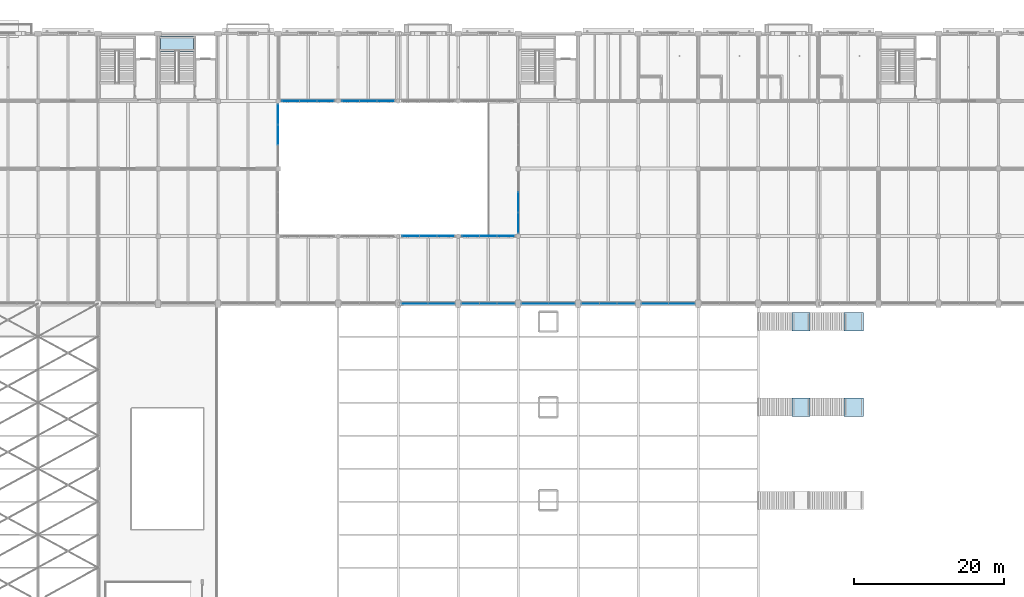
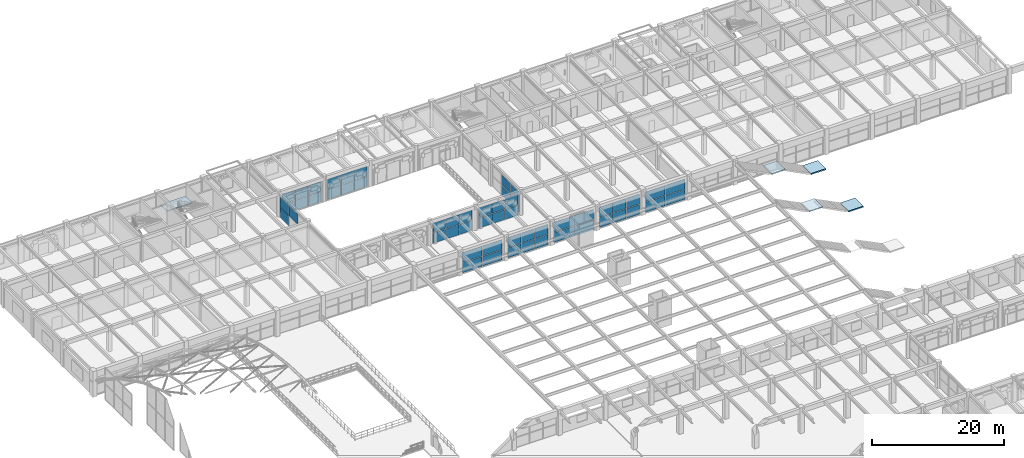
# One storey, part 95 of 144: 55 plates, 5 slabs, 14 elements without a shape of their own.
"""IFC4 building model written with IfcOpenShell, lengths in metres."""

from ifc_helpers import new_model, si_unit, direction, frame, origin, origin_2d, place, context, subcontext, project, spatial, polyline, rectangle, outline, extrude, material, layer, layer_set, type_object, element, aggregate, save


model = new_model("IFC4")

# Units and contexts
model_context = context("Model", 3, precision=1e-05, world=origin(), true_north=direction((0.0, 1.0)))
body_context = subcontext(model_context, "Body", "Model", "MODEL_VIEW")
ifc_project = project(units=[si_unit("LENGTHUNIT", "METRE"), si_unit("AREAUNIT", "SQUARE_METRE"), si_unit("VOLUMEUNIT", "CUBIC_METRE"), si_unit("PLANEANGLEUNIT", "RADIAN"), si_unit("MASSUNIT", "GRAM", prefix="KILO")], contexts=[model_context])

# Site, building, storey
site_placement = place(None, origin())
site = spatial("IfcSite", under=ifc_project, at=site_placement, CompositionType="ELEMENT")
building_placement = place(site_placement, origin())
building = spatial("IfcBuilding", under=site, at=building_placement, Name="Varnabhumi Central Station", CompositionType="ELEMENT")
storey_placement = place(building_placement, frame((0.0, 0.0, 4.800048828125)))
storey = spatial("IfcBuildingStorey", under=building, at=storey_placement, Name="L01", CompositionType="ELEMENT", Elevation=4.800048828125)

# Curtain wall, plates
ifc_material_1 = material(Name="Anodised aluminium 6063-T6", Category="aluminium")
curtain_wall_type_1 = type_object("IfcCurtainWallType", Name="CW-PATIO-LOGGIA-L1", PredefinedType="NOTDEFINED", material=ifc_material_1)
curtain_wall_1_placement = place(storey_placement, origin())
curtain_wall_1 = element("IfcCurtainWall", 1, at=curtain_wall_1_placement, inside=storey, type_object=curtain_wall_type_1, Name="Curtain Wall CW-NP1W1", PredefinedType="NOTDEFINED")
ifc_material_2 = material(Name="Laminated low-E double glazing", Category="glass")
ifc_layer_1 = layer(ifc_material_2, 0.035888671875, Name="Laminated low-E double glazing", Category="glass")
ifc_layer_set_1 = layer_set([ifc_layer_1], Name="Laminated low-E double glazing")
plate_type_1 = type_object("IfcPlateType", Name="CW-PNL-GLZ-2", PredefinedType="CURTAIN_PANEL", material=ifc_layer_set_1)
plate_1_placement = place(storey_placement, frame((80.0, 90.780029296875, 0.0400390625), z_axis=(0.0, 0.0, 1.0), x_axis=(0.0, 1.0, 0.0)))
plate_1 = element("IfcPlate", 2, at=plate_1_placement, type_object=plate_type_1, Name="Glazed Panel CW-NP1W1-P11", PredefinedType="CURTAIN_PANEL", context=body_context, shape_type="SweptSolid", body=[
    extrude(rectangle(XDim=2.639892578125, YDim=0.035888671875, at=origin_2d()), origin(), (0.0, 0.0, 1.0), 1.840087890625),
])
plate_2_placement = place(storey_placement, frame((80.0, 90.780029296875, 1.9599609375), z_axis=(0.0, 0.0, 1.0), x_axis=(0.0, 1.0, 0.0)))
plate_2 = element("IfcPlate", 3, at=plate_2_placement, type_object=plate_type_1, Name="Glazed Panel CW-NP1W1-P12", PredefinedType="CURTAIN_PANEL", context=body_context, shape_type="SweptSolid", body=[
    extrude(rectangle(XDim=2.639892578125, YDim=0.035888671875, at=origin_2d()), origin(), (0.0, 0.0, 1.0), 1.840087890625),
])
plate_3_placement = place(storey_placement, frame((80.0, 93.5, 0.0400390625), z_axis=(0.0, 0.0, 1.0), x_axis=(0.0, 1.0, 0.0)))
plate_3 = element("IfcPlate", 4, at=plate_3_placement, type_object=plate_type_1, Name="Glazed Panel CW-NP1W1-P21", PredefinedType="CURTAIN_PANEL", context=body_context, shape_type="SweptSolid", body=[
    extrude(rectangle(XDim=2.639892578125, YDim=0.035888671875, at=origin_2d()), origin(), (0.0, 0.0, 1.0), 1.840087890625),
])
plate_4_placement = place(storey_placement, frame((80.0, 93.5, 1.9599609375), z_axis=(0.0, 0.0, 1.0), x_axis=(0.0, 1.0, 0.0)))
plate_4 = element("IfcPlate", 5, at=plate_4_placement, type_object=plate_type_1, Name="Glazed Panel CW-NP1W1-P22", PredefinedType="CURTAIN_PANEL", context=body_context, shape_type="SweptSolid", body=[
    extrude(rectangle(XDim=2.639892578125, YDim=0.035888671875, at=origin_2d()), origin(), (0.0, 0.0, 1.0), 1.840087890625),
])
aggregate(curtain_wall_1, [plate_1, plate_2, plate_3, plate_4])

curtain_wall_2_placement = place(storey_placement, origin())
curtain_wall_2 = element("IfcCurtainWall", 6, at=curtain_wall_2_placement, inside=storey, type_object=curtain_wall_type_1, Name="Curtain Wall CW-NP1E2", PredefinedType="NOTDEFINED")
plate_5_placement = place(storey_placement, frame((48.0, 102.5, 1.9599609375), z_axis=(0.0, 0.0, 1.0), x_axis=(0.0, 1.0, 0.0)))
plate_5 = element("IfcPlate", 7, at=plate_5_placement, type_object=plate_type_1, Name="Glazed Panel CW-NP1E2-P22", PredefinedType="CURTAIN_PANEL", context=body_context, shape_type="SweptSolid", body=[
    extrude(rectangle(XDim=2.639892578125, YDim=0.035888671875, at=origin_2d()), origin(), (0.0, 0.0, 1.0), 1.840087890625),
])
plate_6_placement = place(storey_placement, frame((48.0, 105.219970703125, 0.0400390625), z_axis=(0.0, 0.0, 1.0), x_axis=(0.0, 1.0, 0.0)))
plate_6 = element("IfcPlate", 8, at=plate_6_placement, type_object=plate_type_1, Name="Glazed Panel CW-NP1E2-P31", PredefinedType="CURTAIN_PANEL", context=body_context, shape_type="SweptSolid", body=[
    extrude(rectangle(XDim=2.639892578125, YDim=0.035888671875, at=origin_2d()), origin(), (0.0, 0.0, 1.0), 1.840087890625),
])
plate_7_placement = place(storey_placement, frame((48.0, 105.219970703125, 1.9599609375), z_axis=(0.0, 0.0, 1.0), x_axis=(0.0, 1.0, 0.0)))
plate_7 = element("IfcPlate", 9, at=plate_7_placement, type_object=plate_type_1, Name="Glazed Panel CW-NP1E2-P32", PredefinedType="CURTAIN_PANEL", context=body_context, shape_type="SweptSolid", body=[
    extrude(rectangle(XDim=2.639892578125, YDim=0.035888671875, at=origin_2d()), origin(), (0.0, 0.0, 1.0), 1.840087890625),
])
aggregate(curtain_wall_2, [plate_5, plate_6, plate_7])

curtain_wall_3_placement = place(storey_placement, origin())
curtain_wall_3 = element("IfcCurtainWall", 10, at=curtain_wall_3_placement, inside=storey, type_object=curtain_wall_type_1, Name="Curtain Wall CW-NP1N1", PredefinedType="NOTDEFINED")
plate_8_placement = place(storey_placement, frame((49.679931640625, 107.0, 0.0400390625), z_axis=(0.0, 0.0, 1.0), x_axis=(1.0, 0.0, 0.0)))
plate_8 = element("IfcPlate", 11, at=plate_8_placement, type_object=plate_type_1, Name="Glazed Panel CW-NP1N1-P11", PredefinedType="CURTAIN_PANEL", context=body_context, shape_type="SweptSolid", body=[
    extrude(rectangle(XDim=2.239990234375, YDim=0.035888671875, at=origin_2d()), origin(), (0.0, 0.0, 1.0), 1.840087890625),
])
plate_9_placement = place(storey_placement, frame((49.679931640625, 107.0, 1.9599609375), z_axis=(0.0, 0.0, 1.0), x_axis=(1.0, 0.0, 0.0)))
plate_9 = element("IfcPlate", 12, at=plate_9_placement, type_object=plate_type_1, Name="Glazed Panel CW-NP1N1-P12", PredefinedType="CURTAIN_PANEL", context=body_context, shape_type="SweptSolid", body=[
    extrude(rectangle(XDim=2.239990234375, YDim=0.035888671875, at=origin_2d()), origin(), (0.0, 0.0, 1.0), 1.840087890625),
])
plate_10_placement = place(storey_placement, frame((52.0, 107.0, 0.0400390625), z_axis=(0.0, 0.0, 1.0), x_axis=(1.0, 0.0, 0.0)))
plate_10 = element("IfcPlate", 13, at=plate_10_placement, type_object=plate_type_1, Name="Glazed Panel CW-NP1N1-P21", PredefinedType="CURTAIN_PANEL", context=body_context, shape_type="SweptSolid", body=[
    extrude(rectangle(XDim=2.239990234375, YDim=0.035888671875, at=origin_2d()), origin(), (0.0, 0.0, 1.0), 1.840087890625),
])
plate_11_placement = place(storey_placement, frame((52.0, 107.0, 1.9599609375), z_axis=(0.0, 0.0, 1.0), x_axis=(1.0, 0.0, 0.0)))
plate_11 = element("IfcPlate", 14, at=plate_11_placement, type_object=plate_type_1, Name="Glazed Panel CW-NP1N1-P22", PredefinedType="CURTAIN_PANEL", context=body_context, shape_type="SweptSolid", body=[
    extrude(rectangle(XDim=2.239990234375, YDim=0.035888671875, at=origin_2d()), origin(), (0.0, 0.0, 1.0), 1.840087890625),
])
plate_12_placement = place(storey_placement, frame((54.320068359375, 107.0, 0.0400390625), z_axis=(0.0, 0.0, 1.0), x_axis=(1.0, 0.0, 0.0)))
plate_12 = element("IfcPlate", 15, at=plate_12_placement, type_object=plate_type_1, Name="Glazed Panel CW-NP1N1-P31", PredefinedType="CURTAIN_PANEL", context=body_context, shape_type="SweptSolid", body=[
    extrude(rectangle(XDim=2.239990234375, YDim=0.035888671875, at=origin_2d()), origin(), (0.0, 0.0, 1.0), 1.840087890625),
])
plate_13_placement = place(storey_placement, frame((54.320068359375, 107.0, 1.9599609375), z_axis=(0.0, 0.0, 1.0), x_axis=(1.0, 0.0, 0.0)))
plate_13 = element("IfcPlate", 16, at=plate_13_placement, type_object=plate_type_1, Name="Glazed Panel CW-NP1N1-P32", PredefinedType="CURTAIN_PANEL", context=body_context, shape_type="SweptSolid", body=[
    extrude(rectangle(XDim=2.239990234375, YDim=0.035888671875, at=origin_2d()), origin(), (0.0, 0.0, 1.0), 1.840087890625),
])
aggregate(curtain_wall_3, [plate_8, plate_9, plate_10, plate_11, plate_12, plate_13])

curtain_wall_4_placement = place(storey_placement, origin())
curtain_wall_4 = element("IfcCurtainWall", 17, at=curtain_wall_4_placement, inside=storey, type_object=curtain_wall_type_1, Name="Curtain Wall CW-NP1N2", PredefinedType="NOTDEFINED")
ifc_layer_2 = layer(ifc_material_2, 0.035888671875, Name="Laminated low-E double glazing", Category="glass")
ifc_layer_set_2 = layer_set([ifc_layer_2], Name="Laminated low-E double glazing")
plate_type_2 = type_object("IfcPlateType", Name="CW-PNL-GLZ-3", PredefinedType="CURTAIN_PANEL", material=ifc_layer_set_2)
plate_14_placement = place(storey_placement, frame((57.679931640625, 107.0, 0.0400390625), z_axis=(0.0, 0.0, 1.0), x_axis=(1.0, 0.0, 0.0)))
plate_14 = element("IfcPlate", 18, at=plate_14_placement, type_object=plate_type_2, Name="Glazed Panel CW-NP1N2-P11", PredefinedType="CURTAIN_PANEL", context=body_context, shape_type="SweptSolid", body=[
    extrude(rectangle(XDim=2.239990234375, YDim=0.035888671875, at=origin_2d()), origin(), (0.0, 0.0, 1.0), 1.840087890625),
])
plate_15_placement = place(storey_placement, frame((57.679931640625, 107.0, 1.9599609375), z_axis=(0.0, 0.0, 1.0), x_axis=(1.0, 0.0, 0.0)))
plate_15 = element("IfcPlate", 19, at=plate_15_placement, type_object=plate_type_2, Name="Glazed Panel CW-NP1N2-P12", PredefinedType="CURTAIN_PANEL", context=body_context, shape_type="SweptSolid", body=[
    extrude(rectangle(XDim=2.239990234375, YDim=0.035888671875, at=origin_2d()), origin(), (0.0, 0.0, 1.0), 1.840087890625),
])
plate_16_placement = place(storey_placement, frame((60.0, 107.0, 0.0400390625), z_axis=(0.0, 0.0, 1.0), x_axis=(1.0, 0.0, 0.0)))
plate_16 = element("IfcPlate", 20, at=plate_16_placement, type_object=plate_type_2, Name="Glazed Panel CW-NP1N2-P21", PredefinedType="CURTAIN_PANEL", context=body_context, shape_type="SweptSolid", body=[
    extrude(rectangle(XDim=2.239990234375, YDim=0.035888671875, at=origin_2d()), origin(), (0.0, 0.0, 1.0), 1.840087890625),
])
plate_17_placement = place(storey_placement, frame((60.0, 107.0, 1.9599609375), z_axis=(0.0, 0.0, 1.0), x_axis=(1.0, 0.0, 0.0)))
plate_17 = element("IfcPlate", 21, at=plate_17_placement, type_object=plate_type_2, Name="Glazed Panel CW-NP1N2-P22", PredefinedType="CURTAIN_PANEL", context=body_context, shape_type="SweptSolid", body=[
    extrude(rectangle(XDim=2.239990234375, YDim=0.035888671875, at=origin_2d()), origin(), (0.0, 0.0, 1.0), 1.840087890625),
])
plate_18_placement = place(storey_placement, frame((62.320068359375, 107.0, 0.0400390625), z_axis=(0.0, 0.0, 1.0), x_axis=(1.0, 0.0, 0.0)))
plate_18 = element("IfcPlate", 22, at=plate_18_placement, type_object=plate_type_2, Name="Glazed Panel CW-NP1N2-P31", PredefinedType="CURTAIN_PANEL", context=body_context, shape_type="SweptSolid", body=[
    extrude(rectangle(XDim=2.239990234375, YDim=0.035888671875, at=origin_2d()), origin(), (0.0, 0.0, 1.0), 1.840087890625),
])
plate_19_placement = place(storey_placement, frame((62.320068359375, 107.0, 1.9599609375), z_axis=(0.0, 0.0, 1.0), x_axis=(1.0, 0.0, 0.0)))
plate_19 = element("IfcPlate", 23, at=plate_19_placement, type_object=plate_type_2, Name="Glazed Panel CW-NP1N2-P32", PredefinedType="CURTAIN_PANEL", context=body_context, shape_type="SweptSolid", body=[
    extrude(rectangle(XDim=2.239990234375, YDim=0.035888671875, at=origin_2d()), origin(), (0.0, 0.0, 1.0), 1.840087890625),
])
aggregate(curtain_wall_4, [plate_14, plate_15, plate_16, plate_17, plate_18, plate_19])

curtain_wall_type_2 = type_object("IfcCurtainWallType", Name="CW-STREET-PORTAL", PredefinedType="NOTDEFINED", material=ifc_material_1)
curtain_wall_5_placement = place(storey_placement, origin())
curtain_wall_5 = element("IfcCurtainWall", 24, at=curtain_wall_5_placement, inside=storey, type_object=curtain_wall_type_2, Name="Curtain Wall CW-NSP109", PredefinedType="NOTDEFINED")
ifc_layer_3 = layer(ifc_material_2, 0.035888671875, Name="Laminated low-E double glazing", Category="glass")
ifc_layer_set_3 = layer_set([ifc_layer_3], Name="Laminated low-E double glazing")
plate_type_3 = type_object("IfcPlateType", Name="CW-PNL-GLZ-4", PredefinedType="CURTAIN_PANEL", material=ifc_layer_set_3)
plate_20_placement = place(storey_placement, frame((73.63330078125, 80.0, 0.0400390625), z_axis=(0.0, 0.0, 1.0), x_axis=(1.0, 0.0, 0.0)))
plate_20 = element("IfcPlate", 25, at=plate_20_placement, type_object=plate_type_3, Name="Glazed Panel CW-NSP109-P11", PredefinedType="CURTAIN_PANEL", context=body_context, shape_type="SweptSolid", body=[
    extrude(rectangle(XDim=2.28662109375, YDim=0.035888671875, at=origin_2d()), origin(), (0.0, 0.0, 1.0), 1.840087890625),
])
plate_21_placement = place(storey_placement, frame((73.63330078125, 80.0, 1.9599609375), z_axis=(0.0, 0.0, 1.0), x_axis=(1.0, 0.0, 0.0)))
plate_21 = element("IfcPlate", 26, at=plate_21_placement, type_object=plate_type_3, Name="Glazed Panel CW-NSP109-P12", PredefinedType="CURTAIN_PANEL", context=body_context, shape_type="SweptSolid", body=[
    extrude(rectangle(XDim=2.28662109375, YDim=0.035888671875, at=origin_2d()), origin(), (0.0, 0.0, 1.0), 1.840087890625),
])
plate_22_placement = place(storey_placement, frame((76.0, 80.0, 0.0400390625), z_axis=(0.0, 0.0, 1.0), x_axis=(1.0, 0.0, 0.0)))
plate_22 = element("IfcPlate", 27, at=plate_22_placement, type_object=plate_type_3, Name="Glazed Panel CW-NSP109-P21", PredefinedType="CURTAIN_PANEL", context=body_context, shape_type="SweptSolid", body=[
    extrude(rectangle(XDim=2.28662109375, YDim=0.035888671875, at=origin_2d()), origin(), (0.0, 0.0, 1.0), 1.840087890625),
])
plate_23_placement = place(storey_placement, frame((76.0, 80.0, 1.9599609375), z_axis=(0.0, 0.0, 1.0), x_axis=(1.0, 0.0, 0.0)))
plate_23 = element("IfcPlate", 28, at=plate_23_placement, type_object=plate_type_3, Name="Glazed Panel CW-NSP109-P22", PredefinedType="CURTAIN_PANEL", context=body_context, shape_type="SweptSolid", body=[
    extrude(rectangle(XDim=2.28662109375, YDim=0.035888671875, at=origin_2d()), origin(), (0.0, 0.0, 1.0), 1.840087890625),
])
plate_24_placement = place(storey_placement, frame((78.36669921875, 80.0, 0.0400390625), z_axis=(0.0, 0.0, 1.0), x_axis=(1.0, 0.0, 0.0)))
plate_24 = element("IfcPlate", 29, at=plate_24_placement, type_object=plate_type_3, Name="Glazed Panel CW-NSP109-P31", PredefinedType="CURTAIN_PANEL", context=body_context, shape_type="SweptSolid", body=[
    extrude(rectangle(XDim=2.28662109375, YDim=0.035888671875, at=origin_2d()), origin(), (0.0, 0.0, 1.0), 1.840087890625),
])
plate_25_placement = place(storey_placement, frame((78.36669921875, 80.0, 1.9599609375), z_axis=(0.0, 0.0, 1.0), x_axis=(1.0, 0.0, 0.0)))
plate_25 = element("IfcPlate", 30, at=plate_25_placement, type_object=plate_type_3, Name="Glazed Panel CW-NSP109-P32", PredefinedType="CURTAIN_PANEL", context=body_context, shape_type="SweptSolid", body=[
    extrude(rectangle(XDim=2.28662109375, YDim=0.035888671875, at=origin_2d()), origin(), (0.0, 0.0, 1.0), 1.840087890625),
])
aggregate(curtain_wall_5, [plate_20, plate_21, plate_22, plate_23, plate_24, plate_25])

curtain_wall_6_placement = place(storey_placement, origin())
curtain_wall_6 = element("IfcCurtainWall", 31, at=curtain_wall_6_placement, inside=storey, type_object=curtain_wall_type_1, Name="Curtain Wall CW-NP1S3", PredefinedType="NOTDEFINED")
plate_26_placement = place(storey_placement, frame((65.679931640625, 89.0, 0.0400390625), z_axis=(0.0, 0.0, 1.0), x_axis=(1.0, 0.0, 0.0)))
plate_26 = element("IfcPlate", 32, at=plate_26_placement, type_object=plate_type_3, Name="Glazed Panel CW-NP1S3-P11", PredefinedType="CURTAIN_PANEL", context=body_context, shape_type="SweptSolid", body=[
    extrude(rectangle(XDim=2.239990234375, YDim=0.035888671875, at=origin_2d()), origin(), (0.0, 0.0, 1.0), 1.840087890625),
])
plate_27_placement = place(storey_placement, frame((65.679931640625, 89.0, 1.9599609375), z_axis=(0.0, 0.0, 1.0), x_axis=(1.0, 0.0, 0.0)))
plate_27 = element("IfcPlate", 33, at=plate_27_placement, type_object=plate_type_3, Name="Glazed Panel CW-NP1S3-P12", PredefinedType="CURTAIN_PANEL", context=body_context, shape_type="SweptSolid", body=[
    extrude(rectangle(XDim=2.239990234375, YDim=0.035888671875, at=origin_2d()), origin(), (0.0, 0.0, 1.0), 1.840087890625),
])
plate_28_placement = place(storey_placement, frame((68.0, 89.0, 0.0400390625), z_axis=(0.0, 0.0, 1.0), x_axis=(1.0, 0.0, 0.0)))
plate_28 = element("IfcPlate", 34, at=plate_28_placement, type_object=plate_type_3, Name="Glazed Panel CW-NP1S3-P21", PredefinedType="CURTAIN_PANEL", context=body_context, shape_type="SweptSolid", body=[
    extrude(rectangle(XDim=2.239990234375, YDim=0.035888671875, at=origin_2d()), origin(), (0.0, 0.0, 1.0), 1.840087890625),
])
plate_29_placement = place(storey_placement, frame((68.0, 89.0, 1.9599609375), z_axis=(0.0, 0.0, 1.0), x_axis=(1.0, 0.0, 0.0)))
plate_29 = element("IfcPlate", 35, at=plate_29_placement, type_object=plate_type_3, Name="Glazed Panel CW-NP1S3-P22", PredefinedType="CURTAIN_PANEL", context=body_context, shape_type="SweptSolid", body=[
    extrude(rectangle(XDim=2.239990234375, YDim=0.035888671875, at=origin_2d()), origin(), (0.0, 0.0, 1.0), 1.840087890625),
])
plate_30_placement = place(storey_placement, frame((70.320068359375, 89.0, 0.0400390625), z_axis=(0.0, 0.0, 1.0), x_axis=(1.0, 0.0, 0.0)))
plate_30 = element("IfcPlate", 36, at=plate_30_placement, type_object=plate_type_3, Name="Glazed Panel CW-NP1S3-P31", PredefinedType="CURTAIN_PANEL", context=body_context, shape_type="SweptSolid", body=[
    extrude(rectangle(XDim=2.239990234375, YDim=0.035888671875, at=origin_2d()), origin(), (0.0, 0.0, 1.0), 1.840087890625),
])
plate_31_placement = place(storey_placement, frame((70.320068359375, 89.0, 1.9599609375), z_axis=(0.0, 0.0, 1.0), x_axis=(1.0, 0.0, 0.0)))
plate_31 = element("IfcPlate", 37, at=plate_31_placement, type_object=plate_type_3, Name="Glazed Panel CW-NP1S3-P32", PredefinedType="CURTAIN_PANEL", context=body_context, shape_type="SweptSolid", body=[
    extrude(rectangle(XDim=2.239990234375, YDim=0.035888671875, at=origin_2d()), origin(), (0.0, 0.0, 1.0), 1.840087890625),
])
aggregate(curtain_wall_6, [plate_26, plate_27, plate_28, plate_29, plate_30, plate_31])

curtain_wall_type_3 = type_object("IfcCurtainWallType", Name="CW-SPINE-SCREEN-L0", PredefinedType="NOTDEFINED", material=ifc_material_1)
curtain_wall_7_placement = place(storey_placement, origin())
curtain_wall_7 = element("IfcCurtainWall", 38, at=curtain_wall_7_placement, inside=storey, type_object=curtain_wall_type_3, Name="Curtain Wall CW-NS108", PredefinedType="NOTDEFINED")
ifc_layer_4 = layer(ifc_material_2, 0.035888671875, Name="Laminated low-E double glazing", Category="glass")
ifc_layer_set_4 = layer_set([ifc_layer_4], Name="Laminated low-E double glazing")
plate_type_4 = type_object("IfcPlateType", Name="CW-PNL-GLZ-5", PredefinedType="CURTAIN_PANEL", material=ifc_layer_set_4)
plate_32_placement = place(storey_placement, frame((66.22509765625, 80.0, 0.0400390625), z_axis=(0.0, 0.0, 1.0), x_axis=(1.0, 0.0, 0.0)))
plate_32 = element("IfcPlate", 39, at=plate_32_placement, type_object=plate_type_4, Name="Glazed Panel CW-NS108-P11", PredefinedType="CURTAIN_PANEL", context=body_context, shape_type="SweptSolid", body=[
    extrude(rectangle(XDim=3.469970703125, YDim=0.035888671875, at=origin_2d()), origin(), (0.0, 0.0, 1.0), 1.840087890625),
])
plate_33_placement = place(storey_placement, frame((66.22509765625, 80.0, 1.9599609375), z_axis=(0.0, 0.0, 1.0), x_axis=(1.0, 0.0, 0.0)))
plate_33 = element("IfcPlate", 40, at=plate_33_placement, type_object=plate_type_4, Name="Glazed Panel CW-NS108-P12", PredefinedType="CURTAIN_PANEL", context=body_context, shape_type="SweptSolid", body=[
    extrude(rectangle(XDim=3.469970703125, YDim=0.035888671875, at=origin_2d()), origin(), (0.0, 0.0, 1.0), 1.840087890625),
])
plate_34_placement = place(storey_placement, frame((69.77490234375, 80.0, 0.0400390625), z_axis=(0.0, 0.0, 1.0), x_axis=(1.0, 0.0, 0.0)))
plate_34 = element("IfcPlate", 41, at=plate_34_placement, type_object=plate_type_4, Name="Glazed Panel CW-NS108-P21", PredefinedType="CURTAIN_PANEL", context=body_context, shape_type="SweptSolid", body=[
    extrude(rectangle(XDim=3.469970703125, YDim=0.035888671875, at=origin_2d()), origin(), (0.0, 0.0, 1.0), 1.840087890625),
])
plate_35_placement = place(storey_placement, frame((69.77490234375, 80.0, 1.9599609375), z_axis=(0.0, 0.0, 1.0), x_axis=(1.0, 0.0, 0.0)))
plate_35 = element("IfcPlate", 42, at=plate_35_placement, type_object=plate_type_4, Name="Glazed Panel CW-NS108-P22", PredefinedType="CURTAIN_PANEL", context=body_context, shape_type="SweptSolid", body=[
    extrude(rectangle(XDim=3.469970703125, YDim=0.035888671875, at=origin_2d()), origin(), (0.0, 0.0, 1.0), 1.840087890625),
])
aggregate(curtain_wall_7, [plate_32, plate_33, plate_34, plate_35])

curtain_wall_8_placement = place(storey_placement, origin())
curtain_wall_8 = element("IfcCurtainWall", 43, at=curtain_wall_8_placement, inside=storey, type_object=curtain_wall_type_3, Name="Curtain Wall CW-NS110", PredefinedType="NOTDEFINED")
plate_36_placement = place(storey_placement, frame((82.22509765625, 80.0, 0.0400390625), z_axis=(0.0, 0.0, 1.0), x_axis=(1.0, 0.0, 0.0)))
plate_36 = element("IfcPlate", 44, at=plate_36_placement, type_object=plate_type_4, Name="Glazed Panel CW-NS110-P11", PredefinedType="CURTAIN_PANEL", context=body_context, shape_type="SweptSolid", body=[
    extrude(rectangle(XDim=3.469970703125, YDim=0.035888671875, at=origin_2d()), origin(), (0.0, 0.0, 1.0), 1.840087890625),
])
plate_37_placement = place(storey_placement, frame((82.22509765625, 80.0, 1.9599609375), z_axis=(0.0, 0.0, 1.0), x_axis=(1.0, 0.0, 0.0)))
plate_37 = element("IfcPlate", 45, at=plate_37_placement, type_object=plate_type_4, Name="Glazed Panel CW-NS110-P12", PredefinedType="CURTAIN_PANEL", context=body_context, shape_type="SweptSolid", body=[
    extrude(rectangle(XDim=3.469970703125, YDim=0.035888671875, at=origin_2d()), origin(), (0.0, 0.0, 1.0), 1.840087890625),
])
plate_38_placement = place(storey_placement, frame((85.77490234375, 80.0, 0.0400390625), z_axis=(0.0, 0.0, 1.0), x_axis=(1.0, 0.0, 0.0)))
plate_38 = element("IfcPlate", 46, at=plate_38_placement, type_object=plate_type_4, Name="Glazed Panel CW-NS110-P21", PredefinedType="CURTAIN_PANEL", context=body_context, shape_type="SweptSolid", body=[
    extrude(rectangle(XDim=3.469970703125, YDim=0.035888671875, at=origin_2d()), origin(), (0.0, 0.0, 1.0), 1.840087890625),
])
plate_39_placement = place(storey_placement, frame((85.77490234375, 80.0, 1.9599609375), z_axis=(0.0, 0.0, 1.0), x_axis=(1.0, 0.0, 0.0)))
plate_39 = element("IfcPlate", 47, at=plate_39_placement, type_object=plate_type_4, Name="Glazed Panel CW-NS110-P22", PredefinedType="CURTAIN_PANEL", context=body_context, shape_type="SweptSolid", body=[
    extrude(rectangle(XDim=3.469970703125, YDim=0.035888671875, at=origin_2d()), origin(), (0.0, 0.0, 1.0), 1.840087890625),
])
aggregate(curtain_wall_8, [plate_36, plate_37, plate_38, plate_39])

curtain_wall_9_placement = place(storey_placement, origin())
curtain_wall_9 = element("IfcCurtainWall", 48, at=curtain_wall_9_placement, inside=storey, type_object=curtain_wall_type_3, Name="Curtain Wall CW-NS112", PredefinedType="NOTDEFINED")
plate_40_placement = place(storey_placement, frame((98.22509765625, 80.0, 0.0400390625), z_axis=(0.0, 0.0, 1.0), x_axis=(1.0, 0.0, 0.0)))
plate_40 = element("IfcPlate", 49, at=plate_40_placement, type_object=plate_type_4, Name="Glazed Panel CW-NS112-P11", PredefinedType="CURTAIN_PANEL", context=body_context, shape_type="SweptSolid", body=[
    extrude(rectangle(XDim=3.469970703125, YDim=0.035888671875, at=origin_2d()), origin(), (0.0, 0.0, 1.0), 1.840087890625),
])
plate_41_placement = place(storey_placement, frame((98.22509765625, 80.0, 1.9599609375), z_axis=(0.0, 0.0, 1.0), x_axis=(1.0, 0.0, 0.0)))
plate_41 = element("IfcPlate", 50, at=plate_41_placement, type_object=plate_type_4, Name="Glazed Panel CW-NS112-P12", PredefinedType="CURTAIN_PANEL", context=body_context, shape_type="SweptSolid", body=[
    extrude(rectangle(XDim=3.469970703125, YDim=0.035888671875, at=origin_2d()), origin(), (0.0, 0.0, 1.0), 1.840087890625),
])
plate_42_placement = place(storey_placement, frame((101.77490234375, 80.0, 0.0400390625), z_axis=(0.0, 0.0, 1.0), x_axis=(1.0, 0.0, 0.0)))
plate_42 = element("IfcPlate", 51, at=plate_42_placement, type_object=plate_type_4, Name="Glazed Panel CW-NS112-P21", PredefinedType="CURTAIN_PANEL", context=body_context, shape_type="SweptSolid", body=[
    extrude(rectangle(XDim=3.469970703125, YDim=0.035888671875, at=origin_2d()), origin(), (0.0, 0.0, 1.0), 1.840087890625),
])
plate_43_placement = place(storey_placement, frame((101.77490234375, 80.0, 1.9599609375), z_axis=(0.0, 0.0, 1.0), x_axis=(1.0, 0.0, 0.0)))
plate_43 = element("IfcPlate", 52, at=plate_43_placement, type_object=plate_type_4, Name="Glazed Panel CW-NS112-P22", PredefinedType="CURTAIN_PANEL", context=body_context, shape_type="SweptSolid", body=[
    extrude(rectangle(XDim=3.469970703125, YDim=0.035888671875, at=origin_2d()), origin(), (0.0, 0.0, 1.0), 1.840087890625),
])
aggregate(curtain_wall_9, [plate_40, plate_41, plate_42, plate_43])

curtain_wall_10_placement = place(storey_placement, origin())
curtain_wall_10 = element("IfcCurtainWall", 53, at=curtain_wall_10_placement, inside=storey, type_object=curtain_wall_type_1, Name="Curtain Wall CW-NP1S4", PredefinedType="NOTDEFINED")
plate_44_placement = place(storey_placement, frame((73.679931640625, 89.0, 0.0400390625), z_axis=(0.0, 0.0, 1.0), x_axis=(1.0, 0.0, 0.0)))
plate_44 = element("IfcPlate", 54, at=plate_44_placement, type_object=plate_type_4, Name="Glazed Panel CW-NP1S4-P11", PredefinedType="CURTAIN_PANEL", context=body_context, shape_type="SweptSolid", body=[
    extrude(rectangle(XDim=2.239990234375, YDim=0.035888671875, at=origin_2d()), origin(), (0.0, 0.0, 1.0), 1.840087890625),
])
plate_45_placement = place(storey_placement, frame((73.679931640625, 89.0, 1.9599609375), z_axis=(0.0, 0.0, 1.0), x_axis=(1.0, 0.0, 0.0)))
plate_45 = element("IfcPlate", 55, at=plate_45_placement, type_object=plate_type_4, Name="Glazed Panel CW-NP1S4-P12", PredefinedType="CURTAIN_PANEL", context=body_context, shape_type="SweptSolid", body=[
    extrude(rectangle(XDim=2.239990234375, YDim=0.035888671875, at=origin_2d()), origin(), (0.0, 0.0, 1.0), 1.840087890625),
])
plate_46_placement = place(storey_placement, frame((76.0, 89.0, 0.0400390625), z_axis=(0.0, 0.0, 1.0), x_axis=(1.0, 0.0, 0.0)))
plate_46 = element("IfcPlate", 56, at=plate_46_placement, type_object=plate_type_4, Name="Glazed Panel CW-NP1S4-P21", PredefinedType="CURTAIN_PANEL", context=body_context, shape_type="SweptSolid", body=[
    extrude(rectangle(XDim=2.239990234375, YDim=0.035888671875, at=origin_2d()), origin(), (0.0, 0.0, 1.0), 1.840087890625),
])
plate_47_placement = place(storey_placement, frame((76.0, 89.0, 1.9599609375), z_axis=(0.0, 0.0, 1.0), x_axis=(1.0, 0.0, 0.0)))
plate_47 = element("IfcPlate", 57, at=plate_47_placement, type_object=plate_type_4, Name="Glazed Panel CW-NP1S4-P22", PredefinedType="CURTAIN_PANEL", context=body_context, shape_type="SweptSolid", body=[
    extrude(rectangle(XDim=2.239990234375, YDim=0.035888671875, at=origin_2d()), origin(), (0.0, 0.0, 1.0), 1.840087890625),
])
plate_48_placement = place(storey_placement, frame((78.320068359375, 89.0, 0.0400390625), z_axis=(0.0, 0.0, 1.0), x_axis=(1.0, 0.0, 0.0)))
plate_48 = element("IfcPlate", 58, at=plate_48_placement, type_object=plate_type_4, Name="Glazed Panel CW-NP1S4-P31", PredefinedType="CURTAIN_PANEL", context=body_context, shape_type="SweptSolid", body=[
    extrude(rectangle(XDim=2.239990234375, YDim=0.035888671875, at=origin_2d()), origin(), (0.0, 0.0, 1.0), 1.840087890625),
])
plate_49_placement = place(storey_placement, frame((78.320068359375, 89.0, 1.9599609375), z_axis=(0.0, 0.0, 1.0), x_axis=(1.0, 0.0, 0.0)))
plate_49 = element("IfcPlate", 59, at=plate_49_placement, type_object=plate_type_4, Name="Glazed Panel CW-NP1S4-P32", PredefinedType="CURTAIN_PANEL", context=body_context, shape_type="SweptSolid", body=[
    extrude(rectangle(XDim=2.239990234375, YDim=0.035888671875, at=origin_2d()), origin(), (0.0, 0.0, 1.0), 1.840087890625),
])
aggregate(curtain_wall_10, [plate_44, plate_45, plate_46, plate_47, plate_48, plate_49])

curtain_wall_11_placement = place(storey_placement, origin())
curtain_wall_11 = element("IfcCurtainWall", 60, at=curtain_wall_11_placement, inside=storey, type_object=curtain_wall_type_2, Name="Curtain Wall CW-NSP111", PredefinedType="NOTDEFINED")
ifc_layer_5 = layer(ifc_material_2, 0.035888671875, Name="Laminated low-E double glazing", Category="glass")
ifc_layer_set_5 = layer_set([ifc_layer_5], Name="Laminated low-E double glazing")
plate_type_5 = type_object("IfcPlateType", Name="CW-PNL-GLZ-6", PredefinedType="CURTAIN_PANEL", material=ifc_layer_set_5)
plate_50_placement = place(storey_placement, frame((89.63330078125, 80.0, 0.0400390625), z_axis=(0.0, 0.0, 1.0), x_axis=(1.0, 0.0, 0.0)))
plate_50 = element("IfcPlate", 61, at=plate_50_placement, type_object=plate_type_5, Name="Glazed Panel CW-NSP111-P11", PredefinedType="CURTAIN_PANEL", context=body_context, shape_type="SweptSolid", body=[
    extrude(rectangle(XDim=2.28662109375, YDim=0.035888671875, at=origin_2d()), origin(), (0.0, 0.0, 1.0), 1.840087890625),
])
plate_51_placement = place(storey_placement, frame((89.63330078125, 80.0, 1.9599609375), z_axis=(0.0, 0.0, 1.0), x_axis=(1.0, 0.0, 0.0)))
plate_51 = element("IfcPlate", 62, at=plate_51_placement, type_object=plate_type_5, Name="Glazed Panel CW-NSP111-P12", PredefinedType="CURTAIN_PANEL", context=body_context, shape_type="SweptSolid", body=[
    extrude(rectangle(XDim=2.28662109375, YDim=0.035888671875, at=origin_2d()), origin(), (0.0, 0.0, 1.0), 1.840087890625),
])
plate_52_placement = place(storey_placement, frame((92.0, 80.0, 0.0400390625), z_axis=(0.0, 0.0, 1.0), x_axis=(1.0, 0.0, 0.0)))
plate_52 = element("IfcPlate", 63, at=plate_52_placement, type_object=plate_type_5, Name="Glazed Panel CW-NSP111-P21", PredefinedType="CURTAIN_PANEL", context=body_context, shape_type="SweptSolid", body=[
    extrude(rectangle(XDim=2.28662109375, YDim=0.035888671875, at=origin_2d()), origin(), (0.0, 0.0, 1.0), 1.840087890625),
])
plate_53_placement = place(storey_placement, frame((92.0, 80.0, 1.9599609375), z_axis=(0.0, 0.0, 1.0), x_axis=(1.0, 0.0, 0.0)))
plate_53 = element("IfcPlate", 64, at=plate_53_placement, type_object=plate_type_5, Name="Glazed Panel CW-NSP111-P22", PredefinedType="CURTAIN_PANEL", context=body_context, shape_type="SweptSolid", body=[
    extrude(rectangle(XDim=2.28662109375, YDim=0.035888671875, at=origin_2d()), origin(), (0.0, 0.0, 1.0), 1.840087890625),
])
plate_54_placement = place(storey_placement, frame((94.36669921875, 80.0, 0.0400390625), z_axis=(0.0, 0.0, 1.0), x_axis=(1.0, 0.0, 0.0)))
plate_54 = element("IfcPlate", 65, at=plate_54_placement, type_object=plate_type_5, Name="Glazed Panel CW-NSP111-P31", PredefinedType="CURTAIN_PANEL", context=body_context, shape_type="SweptSolid", body=[
    extrude(rectangle(XDim=2.28662109375, YDim=0.035888671875, at=origin_2d()), origin(), (0.0, 0.0, 1.0), 1.840087890625),
])
plate_55_placement = place(storey_placement, frame((94.36669921875, 80.0, 1.9599609375), z_axis=(0.0, 0.0, 1.0), x_axis=(1.0, 0.0, 0.0)))
plate_55 = element("IfcPlate", 66, at=plate_55_placement, type_object=plate_type_5, Name="Glazed Panel CW-NSP111-P32", PredefinedType="CURTAIN_PANEL", context=body_context, shape_type="SweptSolid", body=[
    extrude(rectangle(XDim=2.28662109375, YDim=0.035888671875, at=origin_2d()), origin(), (0.0, 0.0, 1.0), 1.840087890625),
])
aggregate(curtain_wall_11, [plate_50, plate_51, plate_52, plate_53, plate_54, plate_55])

# Slabs
ifc_material_3 = material(Name="Concrete M40", Category="concrete")
ifc_layer_6 = layer(ifc_material_3, 0.219970703125, Name="Concrete M40", Category="concrete")
ifc_layer_set_6 = layer_set([ifc_layer_6], Name="Concrete M40")
slab_type_1 = type_object("IfcSlabType", Name="SLB-MEZZ-220", PredefinedType="FLOOR", material=ifc_layer_set_6)
slab_1_placement = place(storey_placement, frame((0.0, 0.0, -0.219970703125)))
element("IfcSlab", 67, at=slab_1_placement, inside=storey, type_object=slab_type_1, Name="Platform 3 Stair Landing p3_l1xfer", PredefinedType="FLOOR", context=body_context, shape_type="SweptSolid", body=[
    extrude(outline(polyline([(123.39990234375, 64.949951171875), (126.0, 64.949951171875), (126.0, 67.449951171875), (123.39990234375, 67.449951171875), (123.39990234375, 64.949951171875)])), origin(), (0.0, 0.0, 1.0), 0.219970703125),
])
slab_2_placement = place(storey_placement, frame((0.0, 0.0, -0.219970703125)))
element("IfcSlab", 68, at=slab_2_placement, inside=storey, type_object=slab_type_1, Name="Platform 4 Stair Landing p4_l1xfer", PredefinedType="FLOOR", context=body_context, shape_type="SweptSolid", body=[
    extrude(outline(polyline([(123.39990234375, 76.35009765625), (126.0, 76.35009765625), (126.0, 78.85009765625), (123.39990234375, 78.85009765625), (123.39990234375, 76.35009765625)])), origin(), (0.0, 0.0, 1.0), 0.219970703125),
])

# Stair, slab
stair_type_1 = type_object("IfcStairType", Name="STR-CORE-4800", PredefinedType="DOUBLE_RETURN_STAIR", material=ifc_material_3)
stair_1_placement = place(storey_placement, origin())
stair_1 = element("IfcStair", 69, at=stair_1_placement, inside=storey, type_object=stair_type_1, Name="Core Stair ST-N4 (L01)", PredefinedType="DOUBLE_RETURN_STAIR")
ifc_layer_7 = layer(ifc_material_3, 0.179931640625, Name="Concrete M40", Category="concrete")
ifc_layer_set_7 = layer_set([ifc_layer_7], Name="Concrete M40")
slab_type_2 = type_object("IfcSlabType", Name="SLB-STAIR-LAND", PredefinedType="LANDING", material=ifc_layer_set_7)
slab_3_placement = place(storey_placement, frame((0.0, 0.0, 2.219970703125)))
slab_3 = element("IfcSlab", 70, at=slab_3_placement, type_object=slab_type_2, Name="ST-N4 L01 Half Landing", PredefinedType="LANDING", context=body_context, shape_type="SweptSolid", body=[
    extrude(outline(polyline([(32.340087890625, 113.614990234375), (36.760009765625, 113.614990234375), (36.760009765625, 115.639892578125), (32.340087890625, 115.639892578125), (32.340087890625, 113.614990234375)])), origin(), (0.0, 0.0, 1.0), 0.179931640625),
])
aggregate(stair_1, [slab_3])

stair_type_2 = type_object("IfcStairType", Name="STR-PLAT-4800", PredefinedType="TWO_STRAIGHT_RUN_STAIR", material=ifc_material_3)
stair_2_placement = place(storey_placement, origin())
stair_2 = element("IfcStair", 71, at=stair_2_placement, inside=storey, type_object=stair_type_2, Name="Platform 3 Upper Stair (L01-L02)", PredefinedType="TWO_STRAIGHT_RUN_STAIR")
slab_4_placement = place(storey_placement, frame((0.0, 0.0, 2.219970703125)))
slab_4 = element("IfcSlab", 72, at=slab_4_placement, type_object=slab_type_2, Name="Platform 3 Stair Landing p3_l1mid", PredefinedType="LANDING", context=body_context, shape_type="SweptSolid", body=[
    extrude(outline(polyline([(116.5, 64.949951171875), (118.89990234375, 64.949951171875), (118.89990234375, 67.449951171875), (116.5, 67.449951171875), (116.5, 64.949951171875)])), origin(), (0.0, 0.0, 1.0), 0.179931640625),
])
aggregate(stair_2, [slab_4])

stair_3_placement = place(storey_placement, origin())
stair_3 = element("IfcStair", 73, at=stair_3_placement, inside=storey, type_object=stair_type_2, Name="Platform 4 Upper Stair (L01-L02)", PredefinedType="TWO_STRAIGHT_RUN_STAIR")
slab_5_placement = place(storey_placement, frame((0.0, 0.0, 2.219970703125)))
slab_5 = element("IfcSlab", 74, at=slab_5_placement, type_object=slab_type_2, Name="Platform 4 Stair Landing p4_l1mid", PredefinedType="LANDING", context=body_context, shape_type="SweptSolid", body=[
    extrude(outline(polyline([(116.5, 76.35009765625), (118.89990234375, 76.35009765625), (118.89990234375, 78.85009765625), (116.5, 78.85009765625), (116.5, 76.35009765625)])), origin(), (0.0, 0.0, 1.0), 0.179931640625),
])
aggregate(stair_3, [slab_5])

save(model, "model.ifc")
